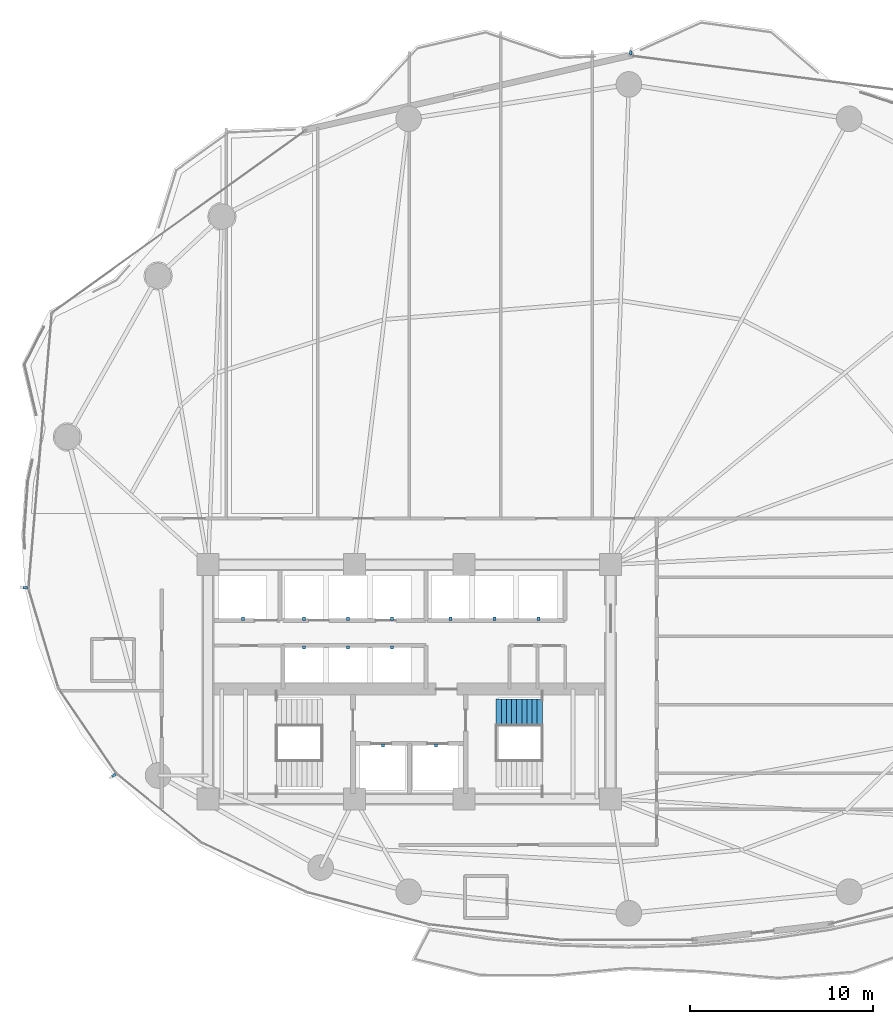
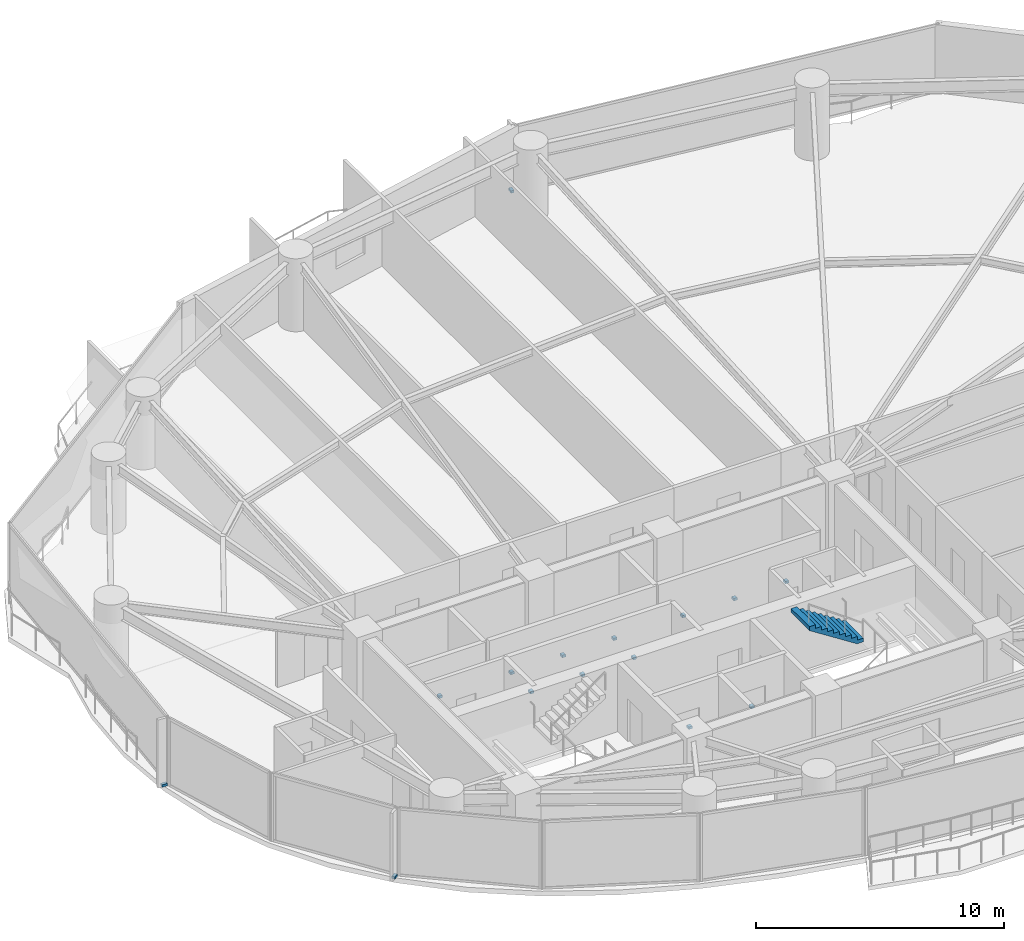
# One storey, part 27 of 30: 15 discrete accessories, 1 stair flight, 1 element without a shape of its own.
"""IFC4 building model written with IfcOpenShell, lengths in metres."""

from ifc_helpers import new_model, si_unit, direction, frame, origin, origin_2d, place, context, subcontext, project, spatial, polyline, rectangle, outline, extrude, material, layer, layer_set, type_object, element, aggregate, save


model = new_model("IFC4")

# Units and contexts
model_context = context("Model", 3, precision=1e-05, world=origin(), true_north=direction((0.0, 1.0)))
body_context = subcontext(model_context, "Body", "Model", "MODEL_VIEW")
ifc_project = project(units=[si_unit("LENGTHUNIT", "METRE"), si_unit("AREAUNIT", "SQUARE_METRE"), si_unit("VOLUMEUNIT", "CUBIC_METRE"), si_unit("PLANEANGLEUNIT", "RADIAN"), si_unit("MASSUNIT", "GRAM", prefix="KILO")], contexts=[model_context])

# Site, building, storey
site_placement = place(None, origin())
site = spatial("IfcSite", under=ifc_project, at=site_placement, CompositionType="ELEMENT")
building_placement = place(site_placement, origin())
building = spatial("IfcBuilding", under=site, at=building_placement, Name="Kazevale Care Tower and Concert Hall", CompositionType="ELEMENT")
storey_placement = place(building_placement, frame((0.0, 0.0, 74.39990234375)))
storey = spatial("IfcBuildingStorey", under=building, at=storey_placement, Name="L19", CompositionType="ELEMENT", Elevation=74.39990234375)

# Stair, stair flight
ifc_material_1 = material(Name="Concrete C40", Category="concrete")
stair_type = type_object("IfcStairType", Name="Exit Stair Assembly ST1-Z1", PredefinedType="HALF_TURN_STAIR", material=ifc_material_1)
stair_placement = place(storey_placement, origin())
stair = element("IfcStair", 1, at=stair_placement, inside=storey, type_object=stair_type, Name="stair:L19:ST2", PredefinedType="HALF_TURN_STAIR")
ifc_layer = layer(ifc_material_1, 0.159912109375)
ifc_layer_set = layer_set([ifc_layer], Name="Concrete C40")
stair_flight_type = type_object("IfcStairFlightType", Name="Exit Stair Flight ST1-Z1", PredefinedType="STRAIGHT", material=ifc_layer_set)
stair_flight_placement = place(storey_placement, frame((40.27001953125, 28.31005859375, 1.800048828125), z_axis=(0.0, 0.0, 1.0), x_axis=(-1.0, 0.0, 0.0)))
stair_flight = element("IfcStairFlight", 2, at=stair_flight_placement, type_object=stair_flight_type, Name="ST1-Z1 flight 2", NumberOfRisers=10, NumberOfTreads=9, PredefinedType="STRAIGHT", RiserHeight=0.18, TreadLength=0.28, context=body_context, shape_type="SweptSolid", body=[
    extrude(outline(polyline([(0.0, 0.0), (0.0, 0.179931640625), (0.280029296875, 0.179931640625), (0.280029296875, 0.360107421875), (0.56005859375, 0.360107421875), (0.56005859375, 0.5400390625), (0.840087890625, 0.5400390625), (0.840087890625, 0.719970703125), (1.1201171875, 0.719970703125), (1.1201171875, 0.89990234375), (1.39990234375, 0.89990234375), (1.39990234375, 1.080078125), (1.679931640625, 1.080078125), (1.679931640625, 1.260009765625), (1.9599609375, 1.260009765625), (1.9599609375, 1.43994140625), (2.239990234375, 1.43994140625), (2.239990234375, 1.6201171875), (2.52001953125, 1.6201171875), (2.52001953125, 1.800048828125), (2.52001953125, 1.429931640625), (0.295654296875, 0.0), (0.0, 0.0)])), frame((0.0, 0.739990234375, 0.0), z_axis=(0.0, -1.0, 0.0), x_axis=(1.0, 0.0, 0.0)), (0.0, 0.0, 1.0), 1.47998046875),
])
aggregate(stair, [stair_flight])

# Discrete accessories
ifc_material_2 = material(Name="Stainless Steel 316", Category="steel")
discrete_accessory_type_1 = type_object("IfcDiscreteAccessoryType", Name="Facade Fin Stainless Anchor Bracket BRK-1", PredefinedType="BRACKET", material=ifc_material_2)
for number, where, z_axis, x_axis, name in (
    (3, (16.85791015625, 24.894287109375, 0.0), (0.0, 0.0, 1.0), (-0.825999928064, -0.563670221706, 0.0), "cw:L19:f11:brk"),
    (4, (12.02099609375, 35.145263671875, 0.0), (0.0, 0.0, 1.0), (-0.99643419826, 0.084373506139, 0.0), "cw:L19:f13:brk"),
    (5, (45.09912109375, 64.370849609375, 0.0), (0.0, 0.0, 1.0), (0.127930151302, 0.99178318013, 0.0), "cw:L19:f16:brk"),
):
    element("IfcDiscreteAccessory", number, at=place(storey_placement, frame(where, z_axis=z_axis, x_axis=x_axis)), inside=storey, type_object=discrete_accessory_type_1, Name=name, PredefinedType="BRACKET", context=body_context, shape_type="SweptSolid", body=[
        extrude(rectangle(XDim=0.239990234375, YDim=0.139892578125, at=origin_2d()), origin(), (0.0, 0.0, 1.0), 0.1201171875),
    ])
discrete_accessory_type_2 = type_object("IfcDiscreteAccessoryType", Name="Hoistway Guide-Rail Wall Bracket HBRK-1", PredefinedType="BRACKET", material=ifc_material_2)
for number, where, z_axis, x_axis, name in (
    (6, (31.550048828125, 26.52001953125, 1.239990234375), (0.0, 0.0, 1.0), (1.0, 0.0, 0.0), "hbrk:FFL-1:L19"),
    (7, (34.449951171875, 26.52001953125, 1.239990234375), (0.0, 0.0, 1.0), (1.0, 0.0, 0.0), "hbrk:FFL-2:L19"),
    (8, (23.89990234375, 33.449951171875, 1.239990234375), (0.0, 0.0, 1.0), (1.0, 0.0, 0.0), "hbrk:SVL-1:L19"),
    (9, (27.25, 33.449951171875, 1.239990234375), (0.0, 0.0, 1.0), (1.0, 0.0, 0.0), "hbrk:PL-1:L19"),
    (10, (29.64990234375, 33.449951171875, 1.239990234375), (0.0, 0.0, 1.0), (1.0, 0.0, 0.0), "hbrk:PL-2:L19"),
    (11, (32.050048828125, 33.449951171875, 1.239990234375), (0.0, 0.0, 1.0), (1.0, 0.0, 0.0), "hbrk:PL-3:L19"),
    (12, (35.25, 33.449951171875, 1.239990234375), (0.0, 0.0, 1.0), (1.0, 0.0, 0.0), "hbrk:PM-1:L19"),
    (13, (37.64990234375, 33.449951171875, 1.239990234375), (0.0, 0.0, 1.0), (1.0, 0.0, 0.0), "hbrk:PM-2:L19"),
    (14, (40.050048828125, 33.449951171875, 1.239990234375), (0.0, 0.0, 1.0), (1.0, 0.0, 0.0), "hbrk:PM-3:L19"),
    (15, (27.25, 31.8798828125, 1.239990234375), (0.0, 0.0, 1.0), (1.0, 0.0, 0.0), "hbrk:PH-1:L19"),
    (16, (29.64990234375, 31.8798828125, 1.239990234375), (0.0, 0.0, 1.0), (1.0, 0.0, 0.0), "hbrk:PH-2:L19"),
    (17, (32.050048828125, 31.8798828125, 1.239990234375), (0.0, 0.0, 1.0), (1.0, 0.0, 0.0), "hbrk:PH-3:L19"),
):
    element("IfcDiscreteAccessory", number, at=place(storey_placement, frame(where, z_axis=z_axis, x_axis=x_axis)), inside=storey, type_object=discrete_accessory_type_2, Name=name, PredefinedType="BRACKET", context=body_context, shape_type="SweptSolid", body=[
        extrude(rectangle(XDim=0.159912109375, YDim=0.179931640625, at=origin_2d()), origin(), (0.0, 0.0, 1.0), 0.1201171875),
    ])

save(model, "model.ifc")
